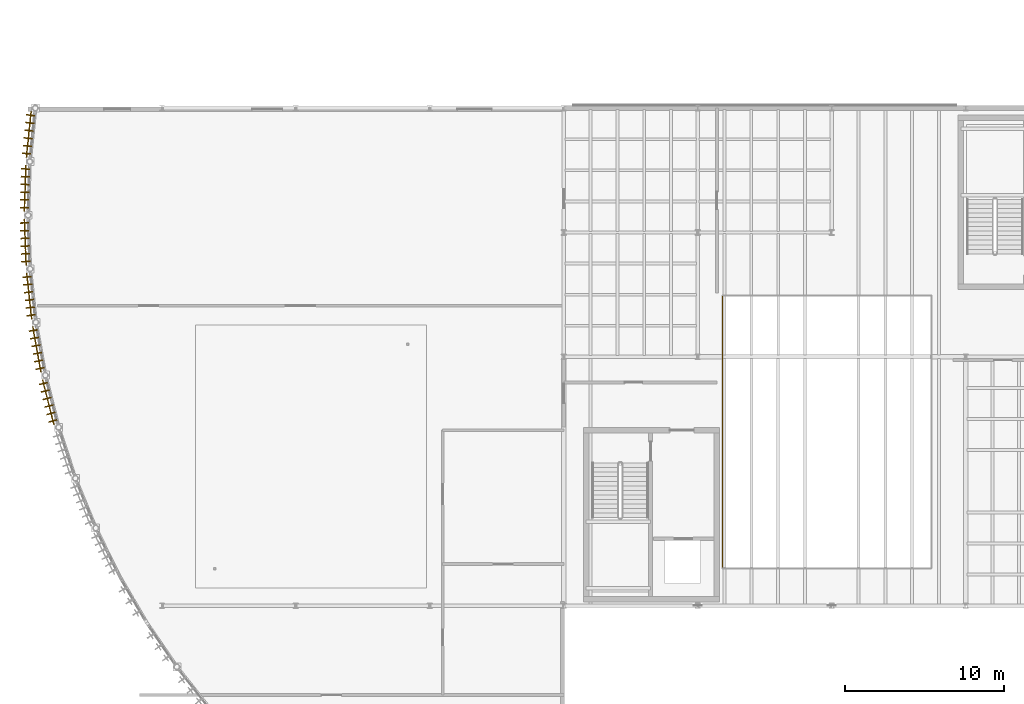
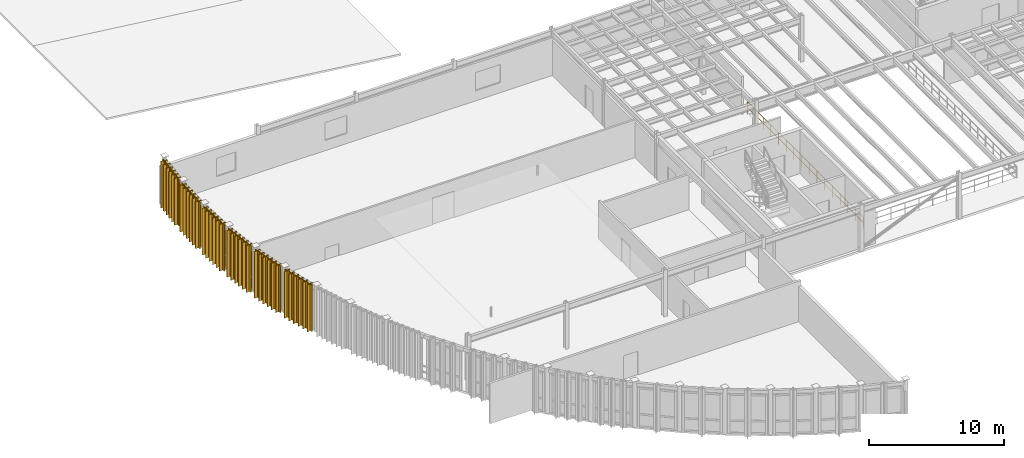
# One storey, part 25 of 26: 36 coverings, 36 shading devices, 1 railing.
"""IFC4 building model written with IfcOpenShell, lengths in metres."""

from ifc_helpers import new_model, si_unit, direction, frame, origin, origin_2d, place, context, subcontext, project, spatial, polyline, rectangle, circle, outline, extrude, material, layer, layer_set, material_profile, profile_set, type_object, element, save


model = new_model("IFC4")

# Units and contexts
model_context = context("Model", 3, precision=1e-05, world=origin(), true_north=direction((0.0, 1.0)))
body_context = subcontext(model_context, "Body", "Model", "MODEL_VIEW")
ifc_project = project(units=[si_unit("LENGTHUNIT", "METRE"), si_unit("AREAUNIT", "SQUARE_METRE"), si_unit("VOLUMEUNIT", "CUBIC_METRE"), si_unit("PLANEANGLEUNIT", "RADIAN"), si_unit("MASSUNIT", "GRAM", prefix="KILO")], contexts=[model_context])

# Site, building, storey
site_placement = place(None, origin())
site = spatial("IfcSite", under=ifc_project, at=site_placement, CompositionType="ELEMENT")
building_placement = place(site_placement, origin())
building = spatial("IfcBuilding", under=site, at=building_placement, Name="Selat Folded Stagehouse", CompositionType="ELEMENT")
storey_placement = place(building_placement, frame((0.0, 0.0, 23.39990234375)))
storey = spatial("IfcBuildingStorey", under=building, at=storey_placement, Name="L05", CompositionType="ELEMENT", Elevation=23.39990234375)

# Coverings
ifc_material_1 = material(Name="Bronze-anodised aluminium 6063-T6", Category="aluminium")
ifc_layer_1 = layer(ifc_material_1, 0.06005859375)
ifc_layer_set_1 = layer_set([ifc_layer_1], Name="Bronze-anodised aluminium 6063-T6")
covering_type = type_object("IfcCoveringType", Name="COV-FIN-BRZ42", PredefinedType="CLADDING", material=ifc_layer_set_1)
covering_1_placement = place(storey_placement, frame((0.0, 0.0, -0.099853515625)))
element("IfcCovering", 1, at=covering_1_placement, inside=storey, type_object=covering_type, Name="L05 drum bronze fin cladding sheath 005", PredefinedType="CLADDING", context=body_context, shape_type="SweptSolid", body=[
    extrude(outline(polyline([(0.430419921875, 54.150390625), (-0.105224609375, 54.21923828125), (-0.11328125, 54.156005859375), (0.42236328125, 54.0869140625), (0.430419921875, 54.150390625)])), origin(), (0.0, 0.0, 1.0), 4.219970703125),
])
covering_2_placement = place(storey_placement, frame((0.0, 0.0, -0.099853515625)))
element("IfcCovering", 2, at=covering_2_placement, inside=storey, type_object=covering_type, Name="L05 drum bronze fin cladding sheath 010", PredefinedType="CLADDING", context=body_context, shape_type="SweptSolid", body=[
    extrude(outline(polyline([(0.380615234375, 53.671875), (-0.155517578125, 53.735595703125), (-0.1630859375, 53.671875), (0.373291015625, 53.6083984375), (0.380615234375, 53.671875)])), origin(), (0.0, 0.0, 1.0), 4.219970703125),
])
covering_3_placement = place(storey_placement, frame((0.0, 0.0, -0.099853515625)))
element("IfcCovering", 3, at=covering_3_placement, inside=storey, type_object=covering_type, Name="L05 drum bronze fin cladding sheath 015", PredefinedType="CLADDING", context=body_context, shape_type="SweptSolid", body=[
    extrude(outline(polyline([(0.3310546875, 53.193359375), (-0.205810546875, 53.251708984375), (-0.212646484375, 53.18798828125), (0.32421875, 53.1298828125), (0.3310546875, 53.193359375)])), origin(), (0.0, 0.0, 1.0), 4.219970703125),
])
covering_4_placement = place(storey_placement, frame((0.0, 0.0, -0.099853515625)))
element("IfcCovering", 4, at=covering_4_placement, inside=storey, type_object=covering_type, Name="L05 drum bronze fin cladding sheath 020", PredefinedType="CLADDING", context=body_context, shape_type="SweptSolid", body=[
    extrude(outline(polyline([(0.28125, 52.71484375), (-0.256103515625, 52.767578125), (-0.26220703125, 52.7041015625), (0.275146484375, 52.651123046875), (0.28125, 52.71484375)])), origin(), (0.0, 0.0, 1.0), 4.219970703125),
])
covering_5_placement = place(storey_placement, frame((0.0, 0.0, -0.099853515625)))
element("IfcCovering", 5, at=covering_5_placement, inside=storey, type_object=covering_type, Name="L05 drum bronze fin cladding sheath 025", PredefinedType="CLADDING", context=body_context, shape_type="SweptSolid", body=[
    extrude(outline(polyline([(0.231689453125, 52.236328125), (-0.306396484375, 52.28369140625), (-0.31201171875, 52.219970703125), (0.22607421875, 52.172607421875), (0.231689453125, 52.236328125)])), origin(), (0.0, 0.0, 1.0), 4.219970703125),
])
covering_6_placement = place(storey_placement, frame((0.0, 0.0, -0.099853515625)))
element("IfcCovering", 6, at=covering_6_placement, inside=storey, type_object=covering_type, Name="L05 drum bronze fin cladding sheath 030", PredefinedType="CLADDING", context=body_context, shape_type="SweptSolid", body=[
    extrude(outline(polyline([(0.181884765625, 51.7578125), (-0.3564453125, 51.7998046875), (-0.361328125, 51.736083984375), (0.177001953125, 51.694091796875), (0.181884765625, 51.7578125)])), origin(), (0.0, 0.0, 1.0), 4.219970703125),
])
covering_7_placement = place(storey_placement, frame((0.0, 0.0, -0.099853515625)))
element("IfcCovering", 7, at=covering_7_placement, inside=storey, type_object=covering_type, Name="L05 drum bronze fin cladding sheath 036", PredefinedType="CLADDING", context=body_context, shape_type="SweptSolid", body=[
    extrude(outline(polyline([(0.1162109375, 50.798583984375), (-0.4228515625, 50.82958984375), (-0.426513671875, 50.765869140625), (0.112548828125, 50.734619140625), (0.1162109375, 50.798583984375)])), origin(), (0.0, 0.0, 1.0), 4.219970703125),
])
covering_8_placement = place(storey_placement, frame((0.0, 0.0, -0.099853515625)))
element("IfcCovering", 8, at=covering_8_placement, inside=storey, type_object=covering_type, Name="L05 drum bronze fin cladding sheath 042", PredefinedType="CLADDING", context=body_context, shape_type="SweptSolid", body=[
    extrude(outline(polyline([(0.10009765625, 50.31787109375), (-0.439208984375, 50.343505859375), (-0.4423828125, 50.279541015625), (0.09716796875, 50.25390625), (0.10009765625, 50.31787109375)])), origin(), (0.0, 0.0, 1.0), 4.219970703125),
])
covering_9_placement = place(storey_placement, frame((0.0, 0.0, -0.099853515625)))
element("IfcCovering", 9, at=covering_9_placement, inside=storey, type_object=covering_type, Name="L05 drum bronze fin cladding sheath 048", PredefinedType="CLADDING", context=body_context, shape_type="SweptSolid", body=[
    extrude(outline(polyline([(0.083984375, 49.8369140625), (-0.45556640625, 49.857421875), (-0.4580078125, 49.793212890625), (0.081787109375, 49.77294921875), (0.083984375, 49.8369140625)])), origin(), (0.0, 0.0, 1.0), 4.219970703125),
])
covering_10_placement = place(storey_placement, frame((0.0, 0.0, -0.099853515625)))
element("IfcCovering", 10, at=covering_10_placement, inside=storey, type_object=covering_type, Name="L05 drum bronze fin cladding sheath 054", PredefinedType="CLADDING", context=body_context, shape_type="SweptSolid", body=[
    extrude(outline(polyline([(0.068115234375, 49.356201171875), (-0.4716796875, 49.37109375), (-0.473388671875, 49.30712890625), (0.06640625, 49.2919921875), (0.068115234375, 49.356201171875)])), origin(), (0.0, 0.0, 1.0), 4.219970703125),
])
covering_11_placement = place(storey_placement, frame((0.0, 0.0, -0.099853515625)))
element("IfcCovering", 11, at=covering_11_placement, inside=storey, type_object=covering_type, Name="L05 drum bronze fin cladding sheath 060", PredefinedType="CLADDING", context=body_context, shape_type="SweptSolid", body=[
    extrude(outline(polyline([(0.052001953125, 48.875244140625), (-0.48779296875, 48.884765625), (-0.489013671875, 48.82080078125), (0.051025390625, 48.811279296875), (0.052001953125, 48.875244140625)])), origin(), (0.0, 0.0, 1.0), 4.219970703125),
])
covering_12_placement = place(storey_placement, frame((0.0, 0.0, -0.099853515625)))
element("IfcCovering", 12, at=covering_12_placement, inside=storey, type_object=covering_type, Name="L05 drum bronze fin cladding sheath 066", PredefinedType="CLADDING", context=body_context, shape_type="SweptSolid", body=[
    extrude(outline(polyline([(0.0361328125, 48.39453125), (-0.50390625, 48.398681640625), (-0.50439453125, 48.334716796875), (0.03564453125, 48.33056640625), (0.0361328125, 48.39453125)])), origin(), (0.0, 0.0, 1.0), 4.219970703125),
])
covering_13_placement = place(storey_placement, frame((0.0, 0.0, -0.099853515625)))
element("IfcCovering", 13, at=covering_13_placement, inside=storey, type_object=covering_type, Name="L05 drum bronze fin cladding sheath 072", PredefinedType="CLADDING", context=body_context, shape_type="SweptSolid", body=[
    extrude(outline(polyline([(0.037841796875, 47.432861328125), (-0.502197265625, 47.42626953125), (-0.50146484375, 47.3623046875), (0.03857421875, 47.368896484375), (0.037841796875, 47.432861328125)])), origin(), (0.0, 0.0, 1.0), 4.219970703125),
])
covering_14_placement = place(storey_placement, frame((0.0, 0.0, -0.099853515625)))
element("IfcCovering", 14, at=covering_14_placement, inside=storey, type_object=covering_type, Name="L05 drum bronze fin cladding sheath 078", PredefinedType="CLADDING", context=body_context, shape_type="SweptSolid", body=[
    extrude(outline(polyline([(0.055419921875, 46.9521484375), (-0.484375, 46.93994140625), (-0.48291015625, 46.8759765625), (0.056884765625, 46.88818359375), (0.055419921875, 46.9521484375)])), origin(), (0.0, 0.0, 1.0), 4.219970703125),
])
covering_15_placement = place(storey_placement, frame((0.0, 0.0, -0.099853515625)))
element("IfcCovering", 15, at=covering_15_placement, inside=storey, type_object=covering_type, Name="L05 drum bronze fin cladding sheath 084", PredefinedType="CLADDING", context=body_context, shape_type="SweptSolid", body=[
    extrude(outline(polyline([(0.0732421875, 46.471435546875), (-0.46630859375, 46.453857421875), (-0.46435546875, 46.389892578125), (0.075439453125, 46.407470703125), (0.0732421875, 46.471435546875)])), origin(), (0.0, 0.0, 1.0), 4.219970703125),
])
covering_16_placement = place(storey_placement, frame((0.0, 0.0, -0.099853515625)))
element("IfcCovering", 16, at=covering_16_placement, inside=storey, type_object=covering_type, Name="L05 drum bronze fin cladding sheath 090", PredefinedType="CLADDING", context=body_context, shape_type="SweptSolid", body=[
    extrude(outline(polyline([(0.091064453125, 45.99072265625), (-0.448486328125, 45.9677734375), (-0.44580078125, 45.90380859375), (0.09375, 45.9267578125), (0.091064453125, 45.99072265625)])), origin(), (0.0, 0.0, 1.0), 4.219970703125),
])
covering_17_placement = place(storey_placement, frame((0.0, 0.0, -0.099853515625)))
element("IfcCovering", 17, at=covering_17_placement, inside=storey, type_object=covering_type, Name="L05 drum bronze fin cladding sheath 096", PredefinedType="CLADDING", context=body_context, shape_type="SweptSolid", body=[
    extrude(outline(polyline([(0.10888671875, 45.510009765625), (-0.430419921875, 45.4814453125), (-0.427001953125, 45.41748046875), (0.1123046875, 45.446044921875), (0.10888671875, 45.510009765625)])), origin(), (0.0, 0.0, 1.0), 4.219970703125),
])
covering_18_placement = place(storey_placement, frame((0.0, 0.0, -0.099853515625)))
element("IfcCovering", 18, at=covering_18_placement, inside=storey, type_object=covering_type, Name="L05 drum bronze fin cladding sheath 102", PredefinedType="CLADDING", context=body_context, shape_type="SweptSolid", body=[
    extrude(outline(polyline([(0.126708984375, 45.029052734375), (-0.412353515625, 44.995361328125), (-0.408447265625, 44.931396484375), (0.130615234375, 44.96533203125), (0.126708984375, 45.029052734375)])), origin(), (0.0, 0.0, 1.0), 4.219970703125),
])
covering_19_placement = place(storey_placement, frame((0.0, 0.0, -0.099853515625)))
element("IfcCovering", 19, at=covering_19_placement, inside=storey, type_object=covering_type, Name="L05 drum bronze fin cladding sheath 108", PredefinedType="CLADDING", context=body_context, shape_type="SweptSolid", body=[
    extrude(outline(polyline([(0.19580078125, 44.070068359375), (-0.34228515625, 44.025390625), (-0.337158203125, 43.961669921875), (0.200927734375, 44.00634765625), (0.19580078125, 44.070068359375)])), origin(), (0.0, 0.0, 1.0), 4.219970703125),
])
covering_20_placement = place(storey_placement, frame((0.0, 0.0, -0.099853515625)))
element("IfcCovering", 20, at=covering_20_placement, inside=storey, type_object=covering_type, Name="L05 drum bronze fin cladding sheath 114", PredefinedType="CLADDING", context=body_context, shape_type="SweptSolid", body=[
    extrude(outline(polyline([(0.247314453125, 43.591796875), (-0.29052734375, 43.541748046875), (-0.28466796875, 43.47802734375), (0.253173828125, 43.528076171875), (0.247314453125, 43.591796875)])), origin(), (0.0, 0.0, 1.0), 4.219970703125),
])
covering_21_placement = place(storey_placement, frame((0.0, 0.0, -0.099853515625)))
element("IfcCovering", 21, at=covering_21_placement, inside=storey, type_object=covering_type, Name="L05 drum bronze fin cladding sheath 120", PredefinedType="CLADDING", context=body_context, shape_type="SweptSolid", body=[
    extrude(outline(polyline([(0.298583984375, 43.11328125), (-0.238525390625, 43.05810546875), (-0.23193359375, 42.994384765625), (0.30517578125, 43.0498046875), (0.298583984375, 43.11328125)])), origin(), (0.0, 0.0, 1.0), 4.219970703125),
])
covering_22_placement = place(storey_placement, frame((0.0, 0.0, -0.099853515625)))
element("IfcCovering", 22, at=covering_22_placement, inside=storey, type_object=covering_type, Name="L05 drum bronze fin cladding sheath 126", PredefinedType="CLADDING", context=body_context, shape_type="SweptSolid", body=[
    extrude(outline(polyline([(0.35009765625, 42.635009765625), (-0.1865234375, 42.57421875), (-0.17919921875, 42.5107421875), (0.357421875, 42.571533203125), (0.35009765625, 42.635009765625)])), origin(), (0.0, 0.0, 1.0), 4.219970703125),
])
covering_23_placement = place(storey_placement, frame((0.0, 0.0, -0.099853515625)))
element("IfcCovering", 23, at=covering_23_placement, inside=storey, type_object=covering_type, Name="L05 drum bronze fin cladding sheath 132", PredefinedType="CLADDING", context=body_context, shape_type="SweptSolid", body=[
    extrude(outline(polyline([(0.401611328125, 42.15673828125), (-0.134521484375, 42.090576171875), (-0.126708984375, 42.027099609375), (0.4091796875, 42.09326171875), (0.401611328125, 42.15673828125)])), origin(), (0.0, 0.0, 1.0), 4.219970703125),
])
covering_24_placement = place(storey_placement, frame((0.0, 0.0, -0.099853515625)))
element("IfcCovering", 24, at=covering_24_placement, inside=storey, type_object=covering_type, Name="L05 drum bronze fin cladding sheath 138", PredefinedType="CLADDING", context=body_context, shape_type="SweptSolid", body=[
    extrude(outline(polyline([(0.452880859375, 41.678466796875), (-0.082275390625, 41.606689453125), (-0.073974609375, 41.54345703125), (0.46142578125, 41.614990234375), (0.452880859375, 41.678466796875)])), origin(), (0.0, 0.0, 1.0), 4.219970703125),
])
covering_25_placement = place(storey_placement, frame((0.0, 0.0, -0.099853515625)))
element("IfcCovering", 25, at=covering_25_placement, inside=storey, type_object=covering_type, Name="L05 drum bronze fin cladding sheath 144", PredefinedType="CLADDING", context=body_context, shape_type="SweptSolid", body=[
    extrude(outline(polyline([(0.589111328125, 40.7265625), (0.055419921875, 40.644287109375), (0.065185546875, 40.5810546875), (0.598876953125, 40.6630859375), (0.589111328125, 40.7265625)])), origin(), (0.0, 0.0, 1.0), 4.219970703125),
])
covering_26_placement = place(storey_placement, frame((0.0, 0.0, -0.099853515625)))
element("IfcCovering", 26, at=covering_26_placement, inside=storey, type_object=covering_type, Name="L05 drum bronze fin cladding sheath 150", PredefinedType="CLADDING", context=body_context, shape_type="SweptSolid", body=[
    extrude(outline(polyline([(0.674072265625, 40.2529296875), (0.14111328125, 40.165283203125), (0.151611328125, 40.102294921875), (0.684326171875, 40.189697265625), (0.674072265625, 40.2529296875)])), origin(), (0.0, 0.0, 1.0), 4.219970703125),
])
covering_27_placement = place(storey_placement, frame((0.0, 0.0, -0.099853515625)))
element("IfcCovering", 27, at=covering_27_placement, inside=storey, type_object=covering_type, Name="L05 drum bronze fin cladding sheath 156", PredefinedType="CLADDING", context=body_context, shape_type="SweptSolid", body=[
    extrude(outline(polyline([(0.7587890625, 39.779296875), (0.22705078125, 39.6865234375), (0.238037109375, 39.623291015625), (0.77001953125, 39.71630859375), (0.7587890625, 39.779296875)])), origin(), (0.0, 0.0, 1.0), 4.219970703125),
])
covering_28_placement = place(storey_placement, frame((0.0, 0.0, -0.099853515625)))
element("IfcCovering", 28, at=covering_28_placement, inside=storey, type_object=covering_type, Name="L05 drum bronze fin cladding sheath 162", PredefinedType="CLADDING", context=body_context, shape_type="SweptSolid", body=[
    extrude(outline(polyline([(0.84375, 39.305908203125), (0.312744140625, 39.20751953125), (0.324462890625, 39.144775390625), (0.85546875, 39.242919921875), (0.84375, 39.305908203125)])), origin(), (0.0, 0.0, 1.0), 4.219970703125),
])
covering_29_placement = place(storey_placement, frame((0.0, 0.0, -0.099853515625)))
element("IfcCovering", 29, at=covering_29_placement, inside=storey, type_object=covering_type, Name="L05 drum bronze fin cladding sheath 168", PredefinedType="CLADDING", context=body_context, shape_type="SweptSolid", body=[
    extrude(outline(polyline([(0.9287109375, 38.832275390625), (0.398681640625, 38.728759765625), (0.410888671875, 38.666015625), (0.94091796875, 38.76953125), (0.9287109375, 38.832275390625)])), origin(), (0.0, 0.0, 1.0), 4.219970703125),
])
covering_30_placement = place(storey_placement, frame((0.0, 0.0, -0.099853515625)))
element("IfcCovering", 30, at=covering_30_placement, inside=storey, type_object=covering_type, Name="L05 drum bronze fin cladding sheath 174", PredefinedType="CLADDING", context=body_context, shape_type="SweptSolid", body=[
    extrude(outline(polyline([(1.013427734375, 38.35888671875), (0.484619140625, 38.25), (0.497314453125, 38.187255859375), (1.0263671875, 38.296142578125), (1.013427734375, 38.35888671875)])), origin(), (0.0, 0.0, 1.0), 4.219970703125),
])
covering_31_placement = place(storey_placement, frame((0.0, 0.0, -0.099853515625)))
element("IfcCovering", 31, at=covering_31_placement, inside=storey, type_object=covering_type, Name="L05 drum bronze fin cladding sheath 180", PredefinedType="CLADDING", context=body_context, shape_type="SweptSolid", body=[
    extrude(outline(polyline([(1.216064453125, 37.418701171875), (0.689453125, 37.29931640625), (0.70361328125, 37.23681640625), (1.230224609375, 37.3564453125), (1.216064453125, 37.418701171875)])), origin(), (0.0, 0.0, 1.0), 4.219970703125),
])
covering_32_placement = place(storey_placement, frame((0.0, 0.0, -0.099853515625)))
element("IfcCovering", 32, at=covering_32_placement, inside=storey, type_object=covering_type, Name="L05 drum bronze fin cladding sheath 186", PredefinedType="CLADDING", context=body_context, shape_type="SweptSolid", body=[
    extrude(outline(polyline([(1.333984375, 36.952392578125), (0.80859375, 36.82763671875), (0.823486328125, 36.765380859375), (1.348876953125, 36.89013671875), (1.333984375, 36.952392578125)])), origin(), (0.0, 0.0, 1.0), 4.219970703125),
])
covering_33_placement = place(storey_placement, frame((0.0, 0.0, -0.099853515625)))
element("IfcCovering", 33, at=covering_33_placement, inside=storey, type_object=covering_type, Name="L05 drum bronze fin cladding sheath 192", PredefinedType="CLADDING", context=body_context, shape_type="SweptSolid", body=[
    extrude(outline(polyline([(1.451904296875, 36.48583984375), (0.927734375, 36.35595703125), (0.943115234375, 36.293701171875), (1.46728515625, 36.423828125), (1.451904296875, 36.48583984375)])), origin(), (0.0, 0.0, 1.0), 4.219970703125),
])
covering_34_placement = place(storey_placement, frame((0.0, 0.0, -0.099853515625)))
element("IfcCovering", 34, at=covering_34_placement, inside=storey, type_object=covering_type, Name="L05 drum bronze fin cladding sheath 198", PredefinedType="CLADDING", context=body_context, shape_type="SweptSolid", body=[
    extrude(outline(polyline([(1.569580078125, 36.01953125), (1.046875, 35.88427734375), (1.06298828125, 35.822265625), (1.585693359375, 35.95751953125), (1.569580078125, 36.01953125)])), origin(), (0.0, 0.0, 1.0), 4.219970703125),
])
covering_35_placement = place(storey_placement, frame((0.0, 0.0, -0.099853515625)))
element("IfcCovering", 35, at=covering_35_placement, inside=storey, type_object=covering_type, Name="L05 drum bronze fin cladding sheath 204", PredefinedType="CLADDING", context=body_context, shape_type="SweptSolid", body=[
    extrude(outline(polyline([(1.6875, 35.552978515625), (1.166259765625, 35.41259765625), (1.182861328125, 35.350830078125), (1.7041015625, 35.4912109375), (1.6875, 35.552978515625)])), origin(), (0.0, 0.0, 1.0), 4.219970703125),
])
covering_36_placement = place(storey_placement, frame((0.0, 0.0, -0.099853515625)))
element("IfcCovering", 36, at=covering_36_placement, inside=storey, type_object=covering_type, Name="L05 drum bronze fin cladding sheath 210", PredefinedType="CLADDING", context=body_context, shape_type="SweptSolid", body=[
    extrude(outline(polyline([(1.805419921875, 35.086669921875), (1.285400390625, 34.94091796875), (1.302734375, 34.87939453125), (1.82275390625, 35.02490234375), (1.805419921875, 35.086669921875)])), origin(), (0.0, 0.0, 1.0), 4.219970703125),
])

# Railing
ifc_material_2 = material(Name="Stainless steel and laminated glass", Category="steel")
ifc_layer_2 = layer(ifc_material_2, 0.06005859375)
ifc_layer_set_2 = layer_set([ifc_layer_2], Name="Stainless steel and laminated glass")
railing_type = type_object("IfcRailingType", Name="RLG-GUARD-1100", PredefinedType="GUARDRAIL", material=ifc_layer_set_2)
railing_placement = place(storey_placement, frame((43.550048828125, 42.85009765625, 0.0)))
element("IfcRailing", 37, at=railing_placement, inside=storey, type_object=railing_type, Name="L05 protective guard railing 073", PredefinedType="GUARDRAIL", context=body_context, shape_type="SweptSolid", body=[
    extrude(circle(Radius=0.02392578125, at=origin_2d()), frame((0.0, 0.0, 1.076171875), z_axis=(0.0, -1.0, 0.0), x_axis=(1.0, 0.0, 0.0)), (0.0, 0.0, 1.0), 17.10009765625),
    extrude(circle(Radius=0.02392578125, at=origin_2d()), frame((0.0, 0.0, 0.550048828125), z_axis=(0.0, -1.0, 0.0), x_axis=(1.0, 0.0, 0.0)), (0.0, 0.0, 1.0), 17.10009765625),
    extrude(circle(Radius=0.02099609375, at=origin_2d()), origin(), (0.0, 0.0, 1.0), 1.052001953125),
    extrude(circle(Radius=0.02099609375, at=origin_2d()), frame((0.0, -1.139892578125, 0.0)), (0.0, 0.0, 1.0), 1.052001953125),
    extrude(circle(Radius=0.02099609375, at=origin_2d()), frame((0.0, -2.280029296875, 0.0)), (0.0, 0.0, 1.0), 1.052001953125),
    extrude(circle(Radius=0.02099609375, at=origin_2d()), frame((0.0, -3.419921875, 0.0)), (0.0, 0.0, 1.0), 1.052001953125),
    extrude(circle(Radius=0.02099609375, at=origin_2d()), frame((0.0, -4.56005859375, 0.0)), (0.0, 0.0, 1.0), 1.052001953125),
    extrude(circle(Radius=0.02099609375, at=origin_2d()), frame((0.0, -5.699951171875, 0.0)), (0.0, 0.0, 1.0), 1.052001953125),
    extrude(circle(Radius=0.02099609375, at=origin_2d()), frame((0.0, -6.840087890625, 0.0)), (0.0, 0.0, 1.0), 1.052001953125),
    extrude(circle(Radius=0.02099609375, at=origin_2d()), frame((0.0, -7.97998046875, 0.0)), (0.0, 0.0, 1.0), 1.052001953125),
    extrude(circle(Radius=0.02099609375, at=origin_2d()), frame((0.0, -9.1201171875, 0.0)), (0.0, 0.0, 1.0), 1.052001953125),
    extrude(circle(Radius=0.02099609375, at=origin_2d()), frame((0.0, -10.260009765625, 0.0)), (0.0, 0.0, 1.0), 1.052001953125),
    extrude(circle(Radius=0.02099609375, at=origin_2d()), frame((0.0, -11.400146484375, 0.0)), (0.0, 0.0, 1.0), 1.052001953125),
    extrude(circle(Radius=0.02099609375, at=origin_2d()), frame((0.0, -12.5400390625, 0.0)), (0.0, 0.0, 1.0), 1.052001953125),
    extrude(circle(Radius=0.02099609375, at=origin_2d()), frame((0.0, -13.68017578125, 0.0)), (0.0, 0.0, 1.0), 1.052001953125),
    extrude(circle(Radius=0.02099609375, at=origin_2d()), frame((0.0, -14.820068359375, 0.0)), (0.0, 0.0, 1.0), 1.052001953125),
    extrude(circle(Radius=0.02099609375, at=origin_2d()), frame((0.0, -15.960205078125, 0.0)), (0.0, 0.0, 1.0), 1.052001953125),
    extrude(circle(Radius=0.02099609375, at=origin_2d()), frame((0.0, -17.10009765625, 0.0)), (0.0, 0.0, 1.0), 1.052001953125),
])

# Shading devices
ifc_material_profile = material_profile(ifc_material_1, rectangle(XDim=0.06005859375, YDim=0.47998046875, at=origin_2d()), Name="SOLAR-FIN 480x60")
ifc_profile_set = profile_set([ifc_material_profile], Name="Bronze-anodised aluminium 6063-T6")
shading_device_type = type_object("IfcShadingDeviceType", Name="SHD-FIN-480x60", PredefinedType="USERDEFINED", material=ifc_profile_set)
for number, where, z_axis, x_axis, name in (
    (38, (0.16845703125, 54.15185546875, -0.099853515625), (0.0, 0.0, 1.0), (-0.991827775753, 0.127583945876, 0.0), "L05 drum vertical bronze solar fin 005"),
    (39, (0.118896484375, 53.670654296875, -0.099853515625), (0.0, 0.0, 1.0), (-0.993068456955, 0.117537397458, 0.0), "L05 drum vertical bronze solar fin 010"),
    (40, (0.069091796875, 53.189697265625, -0.099853515625), (0.0, 0.0, 1.0), (-0.994188602291, 0.107652324982, 0.0), "L05 drum vertical bronze solar fin 015"),
    (41, (0.019287109375, 52.70849609375, -0.099853515625), (0.0, 0.0, 1.0), (-0.995227399982, 0.097582899759, 0.0), "L05 drum vertical bronze solar fin 020"),
    (42, (-0.0302734375, 52.227294921875, -0.099853515625), (0.0, 0.0, 1.0), (-0.996148926897, 0.087677337101, 0.0), "L05 drum vertical bronze solar fin 025"),
    (43, (-0.079833984375, 51.74609375, -0.099853515625), (0.0, 0.0, 1.0), (-0.996971865568, 0.077763097071, 0.0), "L05 drum vertical bronze solar fin 030"),
    (44, (-0.145263671875, 50.781494140625, -0.099853515625), (0.0, 0.0, 1.0), (-0.99833175459, 0.0577382696, 0.0), "L05 drum vertical bronze solar fin 036"),
    (45, (-0.1611328125, 50.298095703125, -0.099853515625), (0.0, 0.0, 1.0), (-0.998865073158, 0.047629461744, 0.0), "L05 drum vertical bronze solar fin 042"),
    (46, (-0.177001953125, 49.814697265625, -0.099853515625), (0.0, 0.0, 1.0), (-0.999289472641, 0.03769018267, 0.0), "L05 drum vertical bronze solar fin 048"),
    (47, (-0.192626953125, 49.331298828125, -0.099853515625), (0.0, 0.0, 1.0), (-0.999619800631, 0.027572707275, 0.0), "L05 drum vertical bronze solar fin 054"),
    (48, (-0.20849609375, 48.847900390625, -0.099853515625), (0.0, 0.0, 1.0), (-0.999844633908, 0.017626912514, 0.0), "L05 drum vertical bronze solar fin 060"),
    (49, (-0.22412109375, 48.364501953125, -0.099853515625), (0.0, 0.0, 1.0), (-0.999971838252, 0.007504845333, 0.0), "L05 drum vertical bronze solar fin 066"),
    (50, (-0.2216796875, 47.397705078125, -0.099853515625), (0.0, 0.0, 1.0), (-0.999921044204, -0.012566039883, 0.0), "L05 drum vertical bronze solar fin 072"),
    (51, (-0.20361328125, 46.914306640625, -0.099853515625), (0.0, 0.0, 1.0), (-0.999746553782, -0.022512845226, 0.0), "L05 drum vertical bronze solar fin 078"),
    (52, (-0.185546875, 46.430908203125, -0.099853515625), (0.0, 0.0, 1.0), (-0.999467438949, -0.032631862958, 0.0), "L05 drum vertical bronze solar fin 084"),
    (53, (-0.167236328125, 45.947509765625, -0.099853515625), (0.0, 0.0, 1.0), (-0.9990933519, -0.042573162788, 0.0), "L05 drum vertical bronze solar fin 090"),
    (54, (-0.149169921875, 45.46435546875, -0.099853515625), (0.0, 0.0, 1.0), (-0.998620385197, -0.052510249179, 0.0), "L05 drum vertical bronze solar fin 096"),
    (55, (-0.130859375, 44.98095703125, -0.099853515625), (0.0, 0.0, 1.0), (-0.99803767224, -0.06261633005, 0.0), "L05 drum vertical bronze solar fin 102"),
    (56, (-0.060791015625, 44.0166015625, -0.099853515625), (0.0, 0.0, 1.0), (-0.996579940078, -0.08263427276, 0.0), "L05 drum vertical bronze solar fin 108"),
    (57, (-0.0087890625, 43.535888671875, -0.099853515625), (0.0, 0.0, 1.0), (-0.99570856131, -0.092544372783, 0.0), "L05 drum vertical bronze solar fin 114"),
    (58, (0.043212890625, 43.054931640625, -0.099853515625), (0.0, 0.0, 1.0), (-0.994720742649, -0.10261892683, 0.0), "L05 drum vertical bronze solar fin 120"),
    (59, (0.09521484375, 42.573974609375, -0.099853515625), (0.0, 0.0, 1.0), (-0.993650644295, -0.112509542228, 0.0), "L05 drum vertical bronze solar fin 126"),
    (60, (0.1474609375, 42.093017578125, -0.099853515625), (0.0, 0.0, 1.0), (-0.992460828919, -0.122562241583, 0.0), "L05 drum vertical bronze solar fin 132"),
    (61, (0.199462890625, 41.6123046875, -0.099853515625), (0.0, 0.0, 1.0), (-0.99119244206, -0.13242938799, 0.0), "L05 drum vertical bronze solar fin 138"),
    (62, (0.337158203125, 40.6552734375, -0.099853515625), (0.0, 0.0, 1.0), (-0.988334944875, -0.152295885498, 0.0), "L05 drum vertical bronze solar fin 144"),
    (63, (0.422607421875, 40.17919921875, -0.099853515625), (0.0, 0.0, 1.0), (-0.986770965572, -0.162120515372, 0.0), "L05 drum vertical bronze solar fin 150"),
    (64, (0.50830078125, 39.703125, -0.099853515625), (0.0, 0.0, 1.0), (-0.985079303862, -0.172101031672, 0.0), "L05 drum vertical bronze solar fin 156"),
    (65, (0.593994140625, 39.22705078125, -0.099853515625), (0.0, 0.0, 1.0), (-0.983318459858, -0.181892293686, 0.0), "L05 drum vertical bronze solar fin 162"),
    (66, (0.6796875, 38.7509765625, -0.099853515625), (0.0, 0.0, 1.0), (-0.981426830534, -0.191836848149, 0.0), "L05 drum vertical bronze solar fin 168"),
    (67, (0.76513671875, 38.27490234375, -0.099853515625), (0.0, 0.0, 1.0), (-0.979469831173, -0.20159079796, 0.0), "L05 drum vertical bronze solar fin 174"),
    (68, (0.9697265625, 37.330078125, -0.099853515625), (0.0, 0.0, 1.0), (-0.975226629909, -0.22120809279, 0.0), "L05 drum vertical bronze solar fin 180"),
    (69, (1.08837890625, 36.861083984375, -0.099853515625), (0.0, 0.0, 1.0), (-0.972937431695, -0.231068721395, 0.0), "L05 drum vertical bronze solar fin 186"),
    (70, (1.207275390625, 36.392333984375, -0.099853515625), (0.0, 0.0, 1.0), (-0.970590565411, -0.240736275485, 0.0), "L05 drum vertical bronze solar fin 192"),
    (71, (1.325927734375, 35.92333984375, -0.099853515625), (0.0, 0.0, 1.0), (-0.968103926078, -0.25054897388, 0.0), "L05 drum vertical bronze solar fin 198"),
    (72, (1.44482421875, 35.45458984375, -0.099853515625), (0.0, 0.0, 1.0), (-0.965563505285, -0.260167479254, 0.0), "L05 drum vertical bronze solar fin 204"),
    (73, (1.563720703125, 34.985595703125, -0.099853515625), (0.0, 0.0, 1.0), (-0.962880426559, -0.26992829446, 0.0), "L05 drum vertical bronze solar fin 210"),
):
    element("IfcShadingDevice", number, at=place(storey_placement, frame(where, z_axis=z_axis, x_axis=x_axis)), inside=storey, type_object=shading_device_type, Name=name, ObjectType="FIN", PredefinedType="USERDEFINED", context=body_context, shape_type="SweptSolid", body=[
        extrude(rectangle(XDim=0.06005859375, YDim=0.47998046875, at=origin_2d()), origin(), (0.0, 0.0, 1.0), 4.219970703125),
    ])

save(model, "model.ifc")
